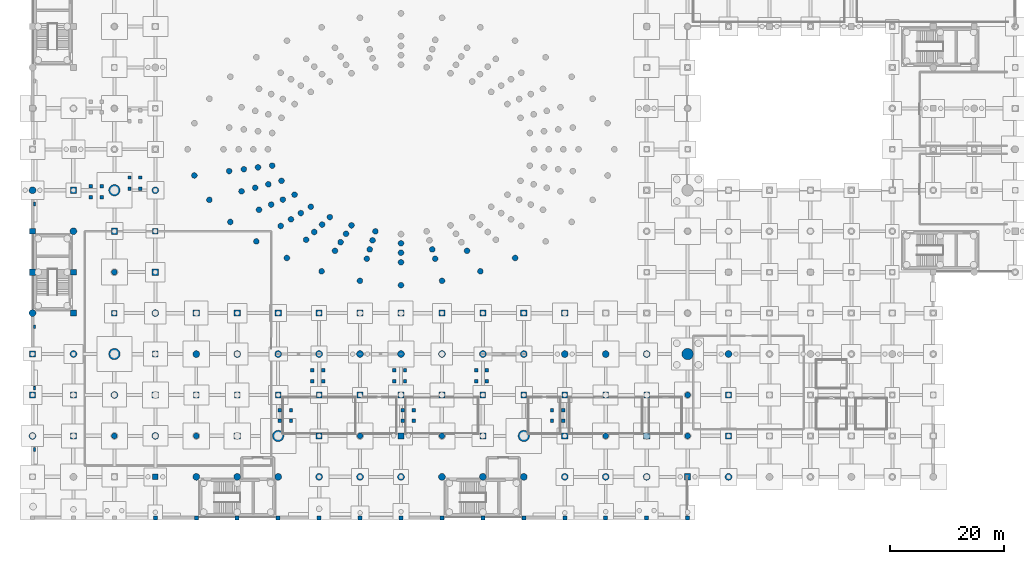
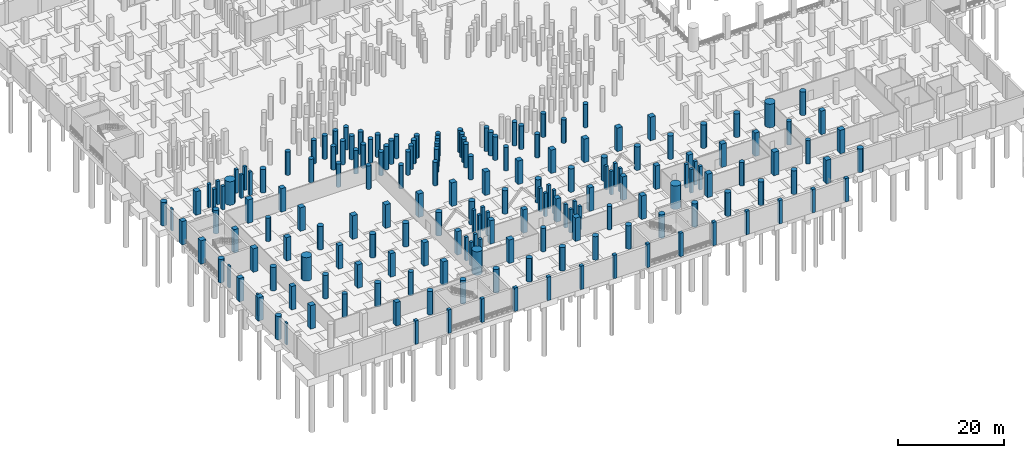
# One storey, part 17 of 37: 190 columns.
"""IFC4 building model written with IfcOpenShell, lengths in metres."""

from ifc_helpers import new_model, si_unit, direction, frame, origin, origin_2d, place, context, subcontext, project, spatial, rectangle, circle, extrude, material, material_profile, profile_set, type_object, element, save


model = new_model("IFC4")

# Units and contexts
model_context = context("Model", 3, precision=1e-05, world=origin(), true_north=direction((0.0, 1.0)))
body_context = subcontext(model_context, "Body", "Model", "MODEL_VIEW")
ifc_project = project(units=[si_unit("LENGTHUNIT", "METRE"), si_unit("AREAUNIT", "SQUARE_METRE"), si_unit("VOLUMEUNIT", "CUBIC_METRE"), si_unit("PLANEANGLEUNIT", "RADIAN"), si_unit("MASSUNIT", "GRAM", prefix="KILO")], contexts=[model_context])

# Site, building, storey
site_placement = place(None, origin())
site = spatial("IfcSite", under=ifc_project, at=site_placement, CompositionType="ELEMENT")
building_placement = place(site_placement, origin())
building = spatial("IfcBuilding", under=site, at=building_placement, Name="Qandorah Velis Arena", CompositionType="ELEMENT")
storey_placement = place(building_placement, frame((0.0, 0.0, -5.39990234375)))
storey = spatial("IfcBuildingStorey", under=building, at=storey_placement, Name="B1", CompositionType="ELEMENT", Elevation=-5.39990234375)

# Columns
ifc_material_1 = material(Name="Concrete C50/60", Category="concrete")
ifc_material_profile_1 = material_profile(ifc_material_1, circle(Radius=1.0, at=origin_2d()), Name="MC D2000")
ifc_profile_set_1 = profile_set([ifc_material_profile_1], Name="Concrete C50/60")
column_type_1 = type_object("IfcColumnType", Name="STR-COL-MC2000", PredefinedType="COLUMN", material=ifc_profile_set_1)
for number, where, z_axis, x_axis, name in (
    (1, (14.39990234375, 28.800048828125, 0.0), (0.0, 0.0, 1.0), (1.0, 0.0, 0.0), "Mega column MC1 (B1)"),
    (2, (14.39990234375, 57.60009765625, 0.0), (0.0, 0.0, 1.0), (1.0, 0.0, 0.0), "Mega column MC2 (B1)"),
    (3, (43.199951171875, 14.39990234375, 0.0), (0.0, 0.0, 1.0), (1.0, 0.0, 0.0), "Mega column MC4 (B1)"),
    (4, (86.39990234375, 14.39990234375, 0.0), (0.0, 0.0, 1.0), (1.0, 0.0, 0.0), "Mega column MC5 (B1)"),
    (5, (115.199951171875, 28.800048828125, 0.0), (0.0, 0.0, 1.0), (1.0, 0.0, 0.0), "Mega column MC8 (B1)"),
):
    element("IfcColumn", number, at=place(storey_placement, frame(where, z_axis=z_axis, x_axis=x_axis)), inside=storey, type_object=column_type_1, Name=name, PredefinedType="COLUMN", context=body_context, shape_type="SweptSolid", body=[
        extrude(circle(Radius=1.0, at=origin_2d()), origin(), (0.0, 0.0, 1.0), 5.39990234375),
    ])
ifc_material_2 = material(Name="Concrete C40/50", Category="concrete")
ifc_material_profile_2 = material_profile(ifc_material_2, rectangle(XDim=1.0, YDim=1.0, at=origin_2d()), Name="RC COL 1000x1000")
ifc_profile_set_2 = profile_set([ifc_material_profile_2], Name="Concrete C40/50")
column_type_2 = type_object("IfcColumnType", Name="STR-COL-RC1000", PredefinedType="COLUMN", material=ifc_profile_set_2)
for number, where, z_axis, x_axis, name in (
    (6, (0.0, 28.800048828125, 0.0), (0.0, 0.0, 1.0), (1.0, 0.0, 0.0), "Structural column B1-004"),
    (7, (0.0, 50.39990234375, 0.0), (0.0, 0.0, 1.0), (1.0, 0.0, 0.0), "Structural column B1-007"),
    (8, (7.199951171875, 21.60009765625, 0.0), (0.0, 0.0, 1.0), (1.0, 0.0, 0.0), "Structural column B1-022"),
    (9, (7.199951171875, 43.199951171875, 0.0), (0.0, 0.0, 1.0), (1.0, 0.0, 0.0), "Structural column B1-025"),
    (10, (14.39990234375, 36.0, 0.0), (0.0, 0.0, 1.0), (1.0, 0.0, 0.0), "Structural column B1-043"),
    (11, (21.60009765625, 7.199951171875, 0.0), (0.0, 0.0, 1.0), (1.0, 0.0, 0.0), "Structural column B1-058"),
    (12, (21.60009765625, 28.800048828125, 0.0), (0.0, 0.0, 1.0), (1.0, 0.0, 0.0), "Structural column B1-061"),
    (13, (21.60009765625, 50.39990234375, 0.0), (0.0, 0.0, 1.0), (1.0, 0.0, 0.0), "Structural column B1-064"),
    (14, (28.800048828125, 21.60009765625, 0.0), (0.0, 0.0, 1.0), (1.0, 0.0, 0.0), "Structural column B1-079"),
    (15, (36.0, 21.60009765625, 0.0), (0.0, 0.0, 1.0), (1.0, 0.0, 0.0), "Structural column B1-091"),
    (16, (43.199951171875, 21.60009765625, 0.0), (0.0, 0.0, 1.0), (1.0, 0.0, 0.0), "Structural column B1-103"),
    (17, (50.39990234375, 21.60009765625, 0.0), (0.0, 0.0, 1.0), (1.0, 0.0, 0.0), "Structural column B1-115"),
    (18, (57.60009765625, 21.60009765625, 0.0), (0.0, 0.0, 1.0), (1.0, 0.0, 0.0), "Structural column B1-127"),
    (19, (64.800048828125, 21.60009765625, 0.0), (0.0, 0.0, 1.0), (1.0, 0.0, 0.0), "Structural column B1-139"),
    (20, (72.0, 21.60009765625, 0.0), (0.0, 0.0, 1.0), (1.0, 0.0, 0.0), "Structural column B1-151"),
    (21, (79.199951171875, 21.60009765625, 0.0), (0.0, 0.0, 1.0), (1.0, 0.0, 0.0), "Structural column B1-163"),
    (22, (86.39990234375, 21.60009765625, 0.0), (0.0, 0.0, 1.0), (1.0, 0.0, 0.0), "Structural column B1-175"),
    (23, (93.60009765625, 21.60009765625, 0.0), (0.0, 0.0, 1.0), (1.0, 0.0, 0.0), "Structural column B1-187"),
    (24, (100.800048828125, 21.60009765625, 0.0), (0.0, 0.0, 1.0), (1.0, 0.0, 0.0), "Structural column B1-199"),
    (25, (108.0, 21.60009765625, 0.0), (0.0, 0.0, 1.0), (1.0, 0.0, 0.0), "Structural column B1-211"),
    (26, (122.39990234375, 21.60009765625, 0.0), (0.0, 0.0, 1.0), (1.0, 0.0, 0.0), "Structural column B1-247"),
):
    element("IfcColumn", number, at=place(storey_placement, frame(where, z_axis=z_axis, x_axis=x_axis)), inside=storey, type_object=column_type_2, Name=name, PredefinedType="COLUMN", context=body_context, shape_type="SweptSolid", body=[
        extrude(rectangle(XDim=1.0, YDim=1.0, at=origin_2d()), origin(), (0.0, 0.0, 1.0), 5.39990234375),
    ])
ifc_material_profile_3 = material_profile(ifc_material_2, rectangle(XDim=1.10009765625, YDim=1.10009765625, at=origin_2d()), Name="RC COL 1100x1100")
ifc_profile_set_3 = profile_set([ifc_material_profile_3], Name="Concrete C40/50")
column_type_3 = type_object("IfcColumnType", Name="STR-COL-RC1100", PredefinedType="COLUMN", material=ifc_profile_set_3)
for number, where, z_axis, x_axis, name in (
    (27, (0.0, 21.60009765625, 0.0), (0.0, 0.0, 1.0), (1.0, 0.0, 0.0), "Structural column B1-003"),
    (28, (0.0, 43.199951171875, 0.0), (0.0, 0.0, 1.0), (1.0, 0.0, 0.0), "Structural column B1-006"),
    (29, (7.199951171875, 14.39990234375, 0.0), (0.0, 0.0, 1.0), (1.0, 0.0, 0.0), "Structural column B1-021"),
    (30, (7.199951171875, 36.0, 0.0), (0.0, 0.0, 1.0), (1.0, 0.0, 0.0), "Structural column B1-024"),
    (31, (7.199951171875, 57.60009765625, 0.0), (0.0, 0.0, 1.0), (1.0, 0.0, 0.0), "Structural column B1-027"),
    (32, (14.39990234375, 50.39990234375, 0.0), (0.0, 0.0, 1.0), (1.0, 0.0, 0.0), "Structural column B1-045"),
    (33, (21.60009765625, 21.60009765625, 0.0), (0.0, 0.0, 1.0), (1.0, 0.0, 0.0), "Structural column B1-060"),
    (34, (21.60009765625, 43.199951171875, 0.0), (0.0, 0.0, 1.0), (1.0, 0.0, 0.0), "Structural column B1-063"),
    (35, (28.800048828125, 36.0, 0.0), (0.0, 0.0, 1.0), (1.0, 0.0, 0.0), "Structural column B1-081"),
    (36, (36.0, 14.39990234375, 0.0), (0.0, 0.0, 1.0), (1.0, 0.0, 0.0), "Structural column B1-090"),
    (37, (36.0, 36.0, 0.0), (0.0, 0.0, 1.0), (1.0, 0.0, 0.0), "Structural column B1-093"),
    (38, (43.199951171875, 36.0, 0.0), (0.0, 0.0, 1.0), (1.0, 0.0, 0.0), "Structural column B1-105"),
    (39, (50.39990234375, 14.39990234375, 0.0), (0.0, 0.0, 1.0), (1.0, 0.0, 0.0), "Structural column B1-114"),
    (40, (50.39990234375, 36.0, 0.0), (0.0, 0.0, 1.0), (1.0, 0.0, 0.0), "Structural column B1-117"),
    (41, (57.60009765625, 36.0, 0.0), (0.0, 0.0, 1.0), (1.0, 0.0, 0.0), "Structural column B1-129"),
    (42, (64.800048828125, 14.39990234375, 0.0), (0.0, 0.0, 1.0), (1.0, 0.0, 0.0), "Structural column B1-138"),
    (43, (64.800048828125, 36.0, 0.0), (0.0, 0.0, 1.0), (1.0, 0.0, 0.0), "Structural column B1-141"),
    (44, (72.0, 36.0, 0.0), (0.0, 0.0, 1.0), (1.0, 0.0, 0.0), "Structural column B1-153"),
    (45, (79.199951171875, 14.39990234375, 0.0), (0.0, 0.0, 1.0), (1.0, 0.0, 0.0), "Structural column B1-162"),
    (46, (79.199951171875, 36.0, 0.0), (0.0, 0.0, 1.0), (1.0, 0.0, 0.0), "Structural column B1-165"),
    (47, (86.39990234375, 36.0, 0.0), (0.0, 0.0, 1.0), (1.0, 0.0, 0.0), "Structural column B1-177"),
    (48, (93.60009765625, 14.39990234375, 0.0), (0.0, 0.0, 1.0), (1.0, 0.0, 0.0), "Structural column B1-186"),
    (49, (93.60009765625, 36.0, 0.0), (0.0, 0.0, 1.0), (1.0, 0.0, 0.0), "Structural column B1-189"),
    (50, (108.0, 14.39990234375, 0.0), (0.0, 0.0, 1.0), (1.0, 0.0, 0.0), "Structural column B1-210"),
    (51, (115.199951171875, 7.199951171875, 0.0), (0.0, 0.0, 1.0), (1.0, 0.0, 0.0), "Structural column B1-228"),
    (52, (122.39990234375, 14.39990234375, 0.0), (0.0, 0.0, 1.0), (1.0, 0.0, 0.0), "Structural column B1-246"),
):
    element("IfcColumn", number, at=place(storey_placement, frame(where, z_axis=z_axis, x_axis=x_axis)), inside=storey, type_object=column_type_3, Name=name, PredefinedType="COLUMN", context=body_context, shape_type="SweptSolid", body=[
        extrude(rectangle(XDim=1.10009765625, YDim=1.10009765625, at=origin_2d()), origin(), (0.0, 0.0, 1.0), 5.39990234375),
    ])
ifc_material_profile_4 = material_profile(ifc_material_2, rectangle(XDim=0.60009765625, YDim=0.60009765625, at=origin_2d()), Name="RC COL 600x600")
ifc_profile_set_4 = profile_set([ifc_material_profile_4], Name="Concrete C40/50")
column_type_4 = type_object("IfcColumnType", Name="STR-COL-RC600", PredefinedType="COLUMN", material=ifc_profile_set_4)
for number, where, z_axis, x_axis, name in (
    (53, (49.199951171875, 24.050048828125, 0.0), (0.0, 0.0, 1.0), (1.0, 0.0, 0.0), "Vomitory VS1 B1 support column 1"),
    (54, (51.10009765625, 24.050048828125, 0.0), (0.0, 0.0, 1.0), (1.0, 0.0, 0.0), "Vomitory VS1 B1 support column 2"),
    (55, (49.199951171875, 25.949951171875, 0.0), (0.0, 0.0, 1.0), (1.0, 0.0, 0.0), "Vomitory VS1 B1 support column 3"),
    (56, (51.10009765625, 25.949951171875, 0.0), (0.0, 0.0, 1.0), (1.0, 0.0, 0.0), "Vomitory VS1 B1 support column 4"),
    (57, (63.60009765625, 24.050048828125, 0.0), (0.0, 0.0, 1.0), (1.0, 0.0, 0.0), "Vomitory VS2 B1 support column 1"),
    (58, (65.5, 24.050048828125, 0.0), (0.0, 0.0, 1.0), (1.0, 0.0, 0.0), "Vomitory VS2 B1 support column 2"),
    (59, (63.60009765625, 25.949951171875, 0.0), (0.0, 0.0, 1.0), (1.0, 0.0, 0.0), "Vomitory VS2 B1 support column 3"),
    (60, (65.5, 25.949951171875, 0.0), (0.0, 0.0, 1.0), (1.0, 0.0, 0.0), "Vomitory VS2 B1 support column 4"),
    (61, (78.0, 24.050048828125, 0.0), (0.0, 0.0, 1.0), (1.0, 0.0, 0.0), "Vomitory VS3 B1 support column 1"),
    (62, (79.89990234375, 24.050048828125, 0.0), (0.0, 0.0, 1.0), (1.0, 0.0, 0.0), "Vomitory VS3 B1 support column 2"),
    (63, (78.0, 25.949951171875, 0.0), (0.0, 0.0, 1.0), (1.0, 0.0, 0.0), "Vomitory VS3 B1 support column 3"),
    (64, (79.89990234375, 25.949951171875, 0.0), (0.0, 0.0, 1.0), (1.0, 0.0, 0.0), "Vomitory VS3 B1 support column 4"),
    (65, (10.25, 56.39990234375, 0.0), (0.0, 0.0, 1.0), (1.0, 0.0, 0.0), "Vomitory VS7 B1 support column 1"),
    (66, (12.14990234375, 56.39990234375, 0.0), (0.0, 0.0, 1.0), (1.0, 0.0, 0.0), "Vomitory VS7 B1 support column 2"),
    (67, (10.25, 58.300048828125, 0.0), (0.0, 0.0, 1.0), (1.0, 0.0, 0.0), "Vomitory VS7 B1 support column 3"),
    (68, (12.14990234375, 58.300048828125, 0.0), (0.0, 0.0, 1.0), (1.0, 0.0, 0.0), "Vomitory VS7 B1 support column 4"),
    (69, (43.5, 17.050048828125, 0.0), (0.0, 0.0, 1.0), (1.0, 0.0, 0.0), "Vomitory VS9 B1 landing column 1"),
    (70, (45.449951171875, 17.050048828125, 0.0), (0.0, 0.0, 1.0), (1.0, 0.0, 0.0), "Vomitory VS9 B1 landing column 2"),
    (71, (43.5, 18.949951171875, 0.0), (0.0, 0.0, 1.0), (1.0, 0.0, 0.0), "Vomitory VS9 B1 landing column 3"),
    (72, (45.449951171875, 18.949951171875, 0.0), (0.0, 0.0, 1.0), (1.0, 0.0, 0.0), "Vomitory VS9 B1 landing column 4"),
    (73, (65.10009765625, 17.050048828125, 0.0), (0.0, 0.0, 1.0), (1.0, 0.0, 0.0), "Vomitory VS10 B1 landing column 1"),
    (74, (67.050048828125, 17.050048828125, 0.0), (0.0, 0.0, 1.0), (1.0, 0.0, 0.0), "Vomitory VS10 B1 landing column 2"),
    (75, (65.10009765625, 18.949951171875, 0.0), (0.0, 0.0, 1.0), (1.0, 0.0, 0.0), "Vomitory VS10 B1 landing column 3"),
    (76, (67.050048828125, 18.949951171875, 0.0), (0.0, 0.0, 1.0), (1.0, 0.0, 0.0), "Vomitory VS10 B1 landing column 4"),
    (77, (91.35009765625, 17.050048828125, 0.0), (0.0, 0.0, 1.0), (1.0, 0.0, 0.0), "Vomitory VS11 B1 landing column 1"),
    (78, (93.300048828125, 17.050048828125, 0.0), (0.0, 0.0, 1.0), (1.0, 0.0, 0.0), "Vomitory VS11 B1 landing column 2"),
    (79, (91.35009765625, 18.949951171875, 0.0), (0.0, 0.0, 1.0), (1.0, 0.0, 0.0), "Vomitory VS11 B1 landing column 3"),
    (80, (93.300048828125, 18.949951171875, 0.0), (0.0, 0.0, 1.0), (1.0, 0.0, 0.0), "Vomitory VS11 B1 landing column 4"),
    (81, (17.050048828125, 57.89990234375, 0.0), (0.0, 0.0, 1.0), (1.0, 0.0, 0.0), "Vomitory VS15 B1 landing column 1"),
    (82, (18.949951171875, 57.89990234375, 0.0), (0.0, 0.0, 1.0), (1.0, 0.0, 0.0), "Vomitory VS15 B1 landing column 2"),
    (83, (17.050048828125, 59.85009765625, 0.0), (0.0, 0.0, 1.0), (1.0, 0.0, 0.0), "Vomitory VS15 B1 landing column 3"),
    (84, (18.949951171875, 59.85009765625, 0.0), (0.0, 0.0, 1.0), (1.0, 0.0, 0.0), "Vomitory VS15 B1 landing column 4"),
):
    element("IfcColumn", number, at=place(storey_placement, frame(where, z_axis=z_axis, x_axis=x_axis)), inside=storey, type_object=column_type_4, Name=name, PredefinedType="COLUMN", context=body_context, shape_type="SweptSolid", body=[
        extrude(rectangle(XDim=0.60009765625, YDim=0.60009765625, at=origin_2d()), origin(), (0.0, 0.0, 1.0), 5.39990234375),
    ])
ifc_material_profile_5 = material_profile(ifc_material_2, rectangle(XDim=0.699951171875, YDim=0.699951171875, at=origin_2d()), Name="RC COL 700x700")
ifc_profile_set_5 = profile_set([ifc_material_profile_5], Name="Concrete C40/50")
column_type_5 = type_object("IfcColumnType", Name="STR-COL-RC700", PredefinedType="COLUMN", material=ifc_profile_set_5)
for number, where, z_axis, x_axis, name in (
    (85, (21.60009765625, 0.0, 0.0), (0.0, 0.0, 1.0), (1.0, 0.0, 0.0), "Structural column B1-057"),
    (86, (28.800048828125, 0.0, 0.0), (0.0, 0.0, 1.0), (1.0, 0.0, 0.0), "Structural column B1-076"),
    (87, (36.0, 0.0, 0.0), (0.0, 0.0, 1.0), (1.0, 0.0, 0.0), "Structural column B1-088"),
    (88, (43.199951171875, 0.0, 0.0), (0.0, 0.0, 1.0), (1.0, 0.0, 0.0), "Structural column B1-100"),
    (89, (50.39990234375, 0.0, 0.0), (0.0, 0.0, 1.0), (1.0, 0.0, 0.0), "Structural column B1-112"),
    (90, (57.60009765625, 0.0, 0.0), (0.0, 0.0, 1.0), (1.0, 0.0, 0.0), "Structural column B1-124"),
    (91, (64.800048828125, 0.0, 0.0), (0.0, 0.0, 1.0), (1.0, 0.0, 0.0), "Structural column B1-136"),
    (92, (72.0, 0.0, 0.0), (0.0, 0.0, 1.0), (1.0, 0.0, 0.0), "Structural column B1-148"),
    (93, (79.199951171875, 0.0, 0.0), (0.0, 0.0, 1.0), (1.0, 0.0, 0.0), "Structural column B1-160"),
    (94, (86.39990234375, 0.0, 0.0), (0.0, 0.0, 1.0), (1.0, 0.0, 0.0), "Structural column B1-172"),
    (95, (93.60009765625, 0.0, 0.0), (0.0, 0.0, 1.0), (1.0, 0.0, 0.0), "Structural column B1-184"),
    (96, (100.800048828125, 0.0, 0.0), (0.0, 0.0, 1.0), (1.0, 0.0, 0.0), "Structural column B1-196"),
    (97, (108.0, 0.0, 0.0), (0.0, 0.0, 1.0), (1.0, 0.0, 0.0), "Structural column B1-208"),
    (98, (115.199951171875, 0.0, 0.0), (0.0, 0.0, 1.0), (1.0, 0.0, 0.0), "Structural column B1-227"),
):
    element("IfcColumn", number, at=place(storey_placement, frame(where, z_axis=z_axis, x_axis=x_axis)), inside=storey, type_object=column_type_5, Name=name, PredefinedType="COLUMN", context=body_context, shape_type="SweptSolid", body=[
        extrude(rectangle(XDim=0.699951171875, YDim=0.699951171875, at=origin_2d()), origin(), (0.0, 0.0, 1.0), 5.39990234375),
    ])
ifc_material_profile_6 = material_profile(ifc_material_2, circle(Radius=0.5, at=origin_2d()), Name="RC D1000")
ifc_profile_set_6 = profile_set([ifc_material_profile_6], Name="Concrete C40/50")
column_type_6 = type_object("IfcColumnType", Name="STR-COL-RCD1000", PredefinedType="COLUMN", material=ifc_profile_set_6)
for number, where, z_axis, x_axis, name in (
    (99, (14.39990234375, 14.39990234375, 0.0), (0.0, 0.0, 1.0), (1.0, 0.0, 0.0), "Bowl drum ring column B1-040"),
    (100, (14.39990234375, 43.199951171875, 0.0), (0.0, 0.0, 1.0), (1.0, 0.0, 0.0), "Bowl drum ring column B1-044"),
    (101, (28.800048828125, 14.39990234375, 0.0), (0.0, 0.0, 1.0), (1.0, 0.0, 0.0), "Bowl drum ring column B1-078"),
    (102, (57.60009765625, 14.39990234375, 0.0), (0.0, 0.0, 1.0), (1.0, 0.0, 0.0), "Bowl drum ring column B1-126"),
    (103, (72.0, 14.39990234375, 0.0), (0.0, 0.0, 1.0), (1.0, 0.0, 0.0), "Bowl drum ring column B1-150"),
    (104, (100.800048828125, 14.39990234375, 0.0), (0.0, 0.0, 1.0), (1.0, 0.0, 0.0), "Bowl drum ring column B1-198"),
    (105, (115.199951171875, 14.39990234375, 0.0), (0.0, 0.0, 1.0), (1.0, 0.0, 0.0), "Bowl drum ring column B1-229"),
    (106, (115.199951171875, 21.60009765625, 0.0), (0.0, 0.0, 1.0), (1.0, 0.0, 0.0), "Bowl drum ring column B1-230"),
):
    element("IfcColumn", number, at=place(storey_placement, frame(where, z_axis=z_axis, x_axis=x_axis)), inside=storey, type_object=column_type_6, Name=name, PredefinedType="COLUMN", context=body_context, shape_type="SweptSolid", body=[
        extrude(circle(Radius=0.5, at=origin_2d()), origin(), (0.0, 0.0, 1.0), 5.39990234375),
    ])
column_1_placement = place(storey_placement, frame((42.14501953125, 61.9306640625, 0.0), z_axis=(0.0, 0.0, 1.0), x_axis=(1.0, 0.0, 0.0)))
element("IfcColumn", 107, at=column_1_placement, inside=storey, type_object=column_type_6, Name="Lower bowl inner support column 9.2", PredefinedType="COLUMN", context=body_context, shape_type="SweptSolid", body=[
    extrude(circle(Radius=0.5, at=origin_2d()), origin(), (0.0, 0.0, 1.0), 5.159912109375),
])
for number, where, z_axis, x_axis, name in (
    (108, (39.653076171875, 61.614990234375, 0.0), (0.0, 0.0, 1.0), (1.0, 0.0, 0.0), "Lower bowl mid B1 support column 9.2"),
    (109, (37.160888671875, 61.29931640625, 0.0), (0.0, 0.0, 1.0), (1.0, 0.0, 0.0), "Basement bowl raker support column 9.2"),
    (110, (34.573974609375, 60.9716796875, 0.0), (0.0, 0.0, 1.0), (1.0, 0.0, 0.0), "Upper raker fulcrum column B1 9.2"),
    (111, (28.474609375, 60.19921875, 0.0), (0.0, 0.0, 1.0), (1.0, 0.0, 0.0), "Outer bowl raker column B1 9.2"),
):
    element("IfcColumn", number, at=place(storey_placement, frame(where, z_axis=z_axis, x_axis=x_axis)), inside=storey, type_object=column_type_6, Name=name, PredefinedType="COLUMN", context=body_context, shape_type="SweptSolid", body=[
        extrude(circle(Radius=0.5, at=origin_2d()), origin(), (0.0, 0.0, 1.0), 5.39990234375),
    ])
column_2_placement = place(storey_placement, frame((43.783447265625, 59.2568359375, 0.0), z_axis=(0.0, 0.0, 1.0), x_axis=(1.0, 0.0, 0.0)))
element("IfcColumn", 112, at=column_2_placement, inside=storey, type_object=column_type_6, Name="Lower bowl inner support column 10.1", PredefinedType="COLUMN", context=body_context, shape_type="SweptSolid", body=[
    extrude(circle(Radius=0.5, at=origin_2d()), origin(), (0.0, 0.0, 1.0), 5.159912109375),
])
for number, where, z_axis, x_axis, name in (
    (113, (41.4716796875, 58.647216796875, 0.0), (0.0, 0.0, 1.0), (1.0, 0.0, 0.0), "Lower bowl mid B1 support column 10.1"),
    (114, (39.159912109375, 58.037353515625, 0.0), (0.0, 0.0, 1.0), (1.0, 0.0, 0.0), "Basement bowl raker support column 10.1"),
):
    element("IfcColumn", number, at=place(storey_placement, frame(where, z_axis=z_axis, x_axis=x_axis)), inside=storey, type_object=column_type_6, Name=name, PredefinedType="COLUMN", context=body_context, shape_type="SweptSolid", body=[
        extrude(circle(Radius=0.5, at=origin_2d()), origin(), (0.0, 0.0, 1.0), 5.39990234375),
    ])
column_3_placement = place(storey_placement, frame((46.082763671875, 56.83642578125, 0.0), z_axis=(0.0, 0.0, 1.0), x_axis=(1.0, 0.0, 0.0)))
element("IfcColumn", 115, at=column_3_placement, inside=storey, type_object=column_type_6, Name="Lower bowl inner support column 10.2", PredefinedType="COLUMN", context=body_context, shape_type="SweptSolid", body=[
    extrude(circle(Radius=0.5, at=origin_2d()), origin(), (0.0, 0.0, 1.0), 5.159912109375),
])
for number, where, z_axis, x_axis, name in (
    (116, (44.02392578125, 55.96044921875, 0.0), (0.0, 0.0, 1.0), (1.0, 0.0, 0.0), "Lower bowl mid B1 support column 10.2"),
    (117, (41.965087890625, 55.08447265625, 0.0), (0.0, 0.0, 1.0), (1.0, 0.0, 0.0), "Basement bowl raker support column 10.2"),
    (118, (36.760009765625, 57.404296875, 0.0), (0.0, 0.0, 1.0), (1.0, 0.0, 0.0), "Upper raker fulcrum column B1 10.1"),
    (119, (31.101806640625, 55.912109375, 0.0), (0.0, 0.0, 1.0), (1.0, 0.0, 0.0), "Outer bowl raker column B1 10.1"),
    (120, (39.82763671875, 54.17529296875, 0.0), (0.0, 0.0, 1.0), (1.0, 0.0, 0.0), "Upper raker fulcrum column B1 10.2"),
    (121, (34.788330078125, 52.03125, 0.0), (0.0, 0.0, 1.0), (1.0, 0.0, 0.0), "Outer bowl raker column B1 10.2"),
):
    element("IfcColumn", number, at=place(storey_placement, frame(where, z_axis=z_axis, x_axis=x_axis)), inside=storey, type_object=column_type_6, Name=name, PredefinedType="COLUMN", context=body_context, shape_type="SweptSolid", body=[
        extrude(circle(Radius=0.5, at=origin_2d()), origin(), (0.0, 0.0, 1.0), 5.39990234375),
    ])
column_4_placement = place(storey_placement, frame((48.940185546875, 54.701416015625, 0.0), z_axis=(0.0, 0.0, 1.0), x_axis=(1.0, 0.0, 0.0)))
element("IfcColumn", 122, at=column_4_placement, inside=storey, type_object=column_type_6, Name="Lower bowl inner support column 11.1", PredefinedType="COLUMN", context=body_context, shape_type="SweptSolid", body=[
    extrude(circle(Radius=0.5, at=origin_2d()), origin(), (0.0, 0.0, 1.0), 5.159912109375),
])
for number, where, z_axis, x_axis, name in (
    (123, (47.19580078125, 53.590576171875, 0.0), (0.0, 0.0, 1.0), (1.0, 0.0, 0.0), "Lower bowl mid B1 support column 11.1"),
    (124, (45.451171875, 52.4794921875, 0.0), (0.0, 0.0, 1.0), (1.0, 0.0, 0.0), "Basement bowl raker support column 11.1"),
):
    element("IfcColumn", number, at=place(storey_placement, frame(where, z_axis=z_axis, x_axis=x_axis)), inside=storey, type_object=column_type_6, Name=name, PredefinedType="COLUMN", context=body_context, shape_type="SweptSolid", body=[
        extrude(circle(Radius=0.5, at=origin_2d()), origin(), (0.0, 0.0, 1.0), 5.39990234375),
    ])
column_5_placement = place(storey_placement, frame((52.29345703125, 52.8818359375, 0.0), z_axis=(0.0, 0.0, 1.0), x_axis=(1.0, 0.0, 0.0)))
element("IfcColumn", 125, at=column_5_placement, inside=storey, type_object=column_type_6, Name="Lower bowl inner support column 11.2", PredefinedType="COLUMN", context=body_context, shape_type="SweptSolid", body=[
    extrude(circle(Radius=0.5, at=origin_2d()), origin(), (0.0, 0.0, 1.0), 5.159912109375),
])
for number, where, z_axis, x_axis, name in (
    (126, (50.917724609375, 51.57080078125, 0.0), (0.0, 0.0, 1.0), (1.0, 0.0, 0.0), "Lower bowl mid B1 support column 11.2"),
    (127, (49.5419921875, 50.259765625, 0.0), (0.0, 0.0, 1.0), (1.0, 0.0, 0.0), "Basement bowl raker support column 11.2"),
    (128, (43.64013671875, 51.326416015625, 0.0), (0.0, 0.0, 1.0), (1.0, 0.0, 0.0), "Upper raker fulcrum column B1 11.1"),
    (129, (39.370361328125, 48.607666015625, 0.0), (0.0, 0.0, 1.0), (1.0, 0.0, 0.0), "Outer bowl raker column B1 11.1"),
    (130, (48.114013671875, 48.898681640625, 0.0), (0.0, 0.0, 1.0), (1.0, 0.0, 0.0), "Upper raker fulcrum column B1 11.2"),
    (131, (44.746826171875, 45.690185546875, 0.0), (0.0, 0.0, 1.0), (1.0, 0.0, 0.0), "Outer bowl raker column B1 11.2"),
):
    element("IfcColumn", number, at=place(storey_placement, frame(where, z_axis=z_axis, x_axis=x_axis)), inside=storey, type_object=column_type_6, Name=name, PredefinedType="COLUMN", context=body_context, shape_type="SweptSolid", body=[
        extrude(circle(Radius=0.5, at=origin_2d()), origin(), (0.0, 0.0, 1.0), 5.39990234375),
    ])
column_6_placement = place(storey_placement, frame((56.0947265625, 51.417724609375, 0.0), z_axis=(0.0, 0.0, 1.0), x_axis=(1.0, 0.0, 0.0)))
element("IfcColumn", 132, at=column_6_placement, inside=storey, type_object=column_type_6, Name="Lower bowl inner support column 12.1", PredefinedType="COLUMN", context=body_context, shape_type="SweptSolid", body=[
    extrude(circle(Radius=0.5, at=origin_2d()), origin(), (0.0, 0.0, 1.0), 5.159912109375),
])
for number, where, z_axis, x_axis, name in (
    (133, (55.13720703125, 49.94580078125, 0.0), (0.0, 0.0, 1.0), (1.0, 0.0, 0.0), "Lower bowl mid B1 support column 12.1"),
    (134, (54.179443359375, 48.4736328125, 0.0), (0.0, 0.0, 1.0), (1.0, 0.0, 0.0), "Basement bowl raker support column 12.1"),
):
    element("IfcColumn", number, at=place(storey_placement, frame(where, z_axis=z_axis, x_axis=x_axis)), inside=storey, type_object=column_type_6, Name=name, PredefinedType="COLUMN", context=body_context, shape_type="SweptSolid", body=[
        extrude(circle(Radius=0.5, at=origin_2d()), origin(), (0.0, 0.0, 1.0), 5.39990234375),
    ])
column_7_placement = place(storey_placement, frame((60.293701171875, 50.37451171875, 0.0), z_axis=(0.0, 0.0, 1.0), x_axis=(1.0, 0.0, 0.0)))
element("IfcColumn", 135, at=column_7_placement, inside=storey, type_object=column_type_6, Name="Lower bowl inner support column 12.2", PredefinedType="COLUMN", context=body_context, shape_type="SweptSolid", body=[
    extrude(circle(Radius=0.5, at=origin_2d()), origin(), (0.0, 0.0, 1.0), 5.159912109375),
])
for number, where, z_axis, x_axis, name in (
    (136, (59.7978515625, 48.78759765625, 0.0), (0.0, 0.0, 1.0), (1.0, 0.0, 0.0), "Lower bowl mid B1 support column 12.2"),
    (137, (59.30224609375, 47.20068359375, 0.0), (0.0, 0.0, 1.0), (1.0, 0.0, 0.0), "Basement bowl raker support column 12.2"),
    (138, (53.185546875, 46.945556640625, 0.0), (0.0, 0.0, 1.0), (1.0, 0.0, 0.0), "Upper raker fulcrum column B1 12.1"),
    (139, (50.841796875, 43.342529296875, 0.0), (0.0, 0.0, 1.0), (1.0, 0.0, 0.0), "Outer bowl raker column B1 12.1"),
    (140, (58.78759765625, 45.553466796875, 0.0), (0.0, 0.0, 1.0), (1.0, 0.0, 0.0), "Upper raker fulcrum column B1 12.2"),
    (141, (57.574462890625, 41.669677734375, 0.0), (0.0, 0.0, 1.0), (1.0, 0.0, 0.0), "Outer bowl raker column B1 12.2"),
    (142, (64.800048828125, 48.260986328125, 0.0), (0.0, 0.0, 1.0), (1.0, 0.0, 0.0), "Lower bowl mid B1 support column 13.1"),
    (143, (64.800048828125, 46.6220703125, 0.0), (0.0, 0.0, 1.0), (1.0, 0.0, 0.0), "Basement bowl raker support column 13.1"),
    (144, (70.2978515625, 47.20068359375, 0.0), (0.0, 0.0, 1.0), (1.0, 0.0, 0.0), "Basement bowl raker support column 13.2"),
    (145, (64.800048828125, 44.920654296875, 0.0), (0.0, 0.0, 1.0), (1.0, 0.0, 0.0), "Upper raker fulcrum column B1 13.1"),
    (146, (64.800048828125, 40.9091796875, 0.0), (0.0, 0.0, 1.0), (1.0, 0.0, 0.0), "Outer bowl raker column B1 13.1"),
    (147, (70.812255859375, 45.553466796875, 0.0), (0.0, 0.0, 1.0), (1.0, 0.0, 0.0), "Upper raker fulcrum column B1 13.2"),
    (148, (72.025634765625, 41.669677734375, 0.0), (0.0, 0.0, 1.0), (1.0, 0.0, 0.0), "Outer bowl raker column B1 13.2"),
    (149, (76.41455078125, 46.945556640625, 0.0), (0.0, 0.0, 1.0), (1.0, 0.0, 0.0), "Upper raker fulcrum column B1 14.1"),
    (150, (78.75830078125, 43.342529296875, 0.0), (0.0, 0.0, 1.0), (1.0, 0.0, 0.0), "Outer bowl raker column B1 14.1"),
    (151, (84.85302734375, 45.690185546875, 0.0), (0.0, 0.0, 1.0), (1.0, 0.0, 0.0), "Outer bowl raker column B1 14.2"),
):
    element("IfcColumn", number, at=place(storey_placement, frame(where, z_axis=z_axis, x_axis=x_axis)), inside=storey, type_object=column_type_6, Name=name, PredefinedType="COLUMN", context=body_context, shape_type="SweptSolid", body=[
        extrude(circle(Radius=0.5, at=origin_2d()), origin(), (0.0, 0.0, 1.0), 5.39990234375),
    ])
ifc_material_profile_7 = material_profile(ifc_material_2, circle(Radius=0.60009765625, at=origin_2d()), Name="RC D1200")
ifc_profile_set_7 = profile_set([ifc_material_profile_7], Name="Concrete C40/50")
column_type_7 = type_object("IfcColumnType", Name="STR-COL-RCD1200", PredefinedType="COLUMN", material=ifc_profile_set_7)
for number, where, z_axis, x_axis, name in (
    (152, (0.0, 14.39990234375, 0.0), (0.0, 0.0, 1.0), (1.0, 0.0, 0.0), "Structural column B1-002"),
    (153, (0.0, 36.0, 0.0), (0.0, 0.0, 1.0), (1.0, 0.0, 0.0), "Structural column B1-005"),
    (154, (0.0, 57.60009765625, 0.0), (0.0, 0.0, 1.0), (1.0, 0.0, 0.0), "Structural column B1-008"),
    (155, (7.199951171875, 28.800048828125, 0.0), (0.0, 0.0, 1.0), (1.0, 0.0, 0.0), "Structural column B1-023"),
    (156, (7.199951171875, 50.39990234375, 0.0), (0.0, 0.0, 1.0), (1.0, 0.0, 0.0), "Structural column B1-026"),
    (157, (14.39990234375, 21.60009765625, 0.0), (0.0, 0.0, 1.0), (1.0, 0.0, 0.0), "Structural column B1-041"),
    (158, (21.60009765625, 14.39990234375, 0.0), (0.0, 0.0, 1.0), (1.0, 0.0, 0.0), "Structural column B1-059"),
    (159, (21.60009765625, 36.0, 0.0), (0.0, 0.0, 1.0), (1.0, 0.0, 0.0), "Structural column B1-062"),
    (160, (21.60009765625, 57.60009765625, 0.0), (0.0, 0.0, 1.0), (1.0, 0.0, 0.0), "Structural column B1-065"),
    (161, (28.800048828125, 7.199951171875, 0.0), (0.0, 0.0, 1.0), (1.0, 0.0, 0.0), "Structural column B1-077"),
    (162, (28.800048828125, 28.800048828125, 0.0), (0.0, 0.0, 1.0), (1.0, 0.0, 0.0), "Structural column B1-080"),
    (163, (36.0, 7.199951171875, 0.0), (0.0, 0.0, 1.0), (1.0, 0.0, 0.0), "Structural column B1-089"),
    (164, (36.0, 28.800048828125, 0.0), (0.0, 0.0, 1.0), (1.0, 0.0, 0.0), "Structural column B1-092"),
    (165, (43.199951171875, 7.199951171875, 0.0), (0.0, 0.0, 1.0), (1.0, 0.0, 0.0), "Structural column B1-101"),
    (166, (43.199951171875, 28.800048828125, 0.0), (0.0, 0.0, 1.0), (1.0, 0.0, 0.0), "Structural column B1-104"),
    (167, (50.39990234375, 7.199951171875, 0.0), (0.0, 0.0, 1.0), (1.0, 0.0, 0.0), "Structural column B1-113"),
    (168, (50.39990234375, 28.800048828125, 0.0), (0.0, 0.0, 1.0), (1.0, 0.0, 0.0), "Structural column B1-116"),
    (169, (57.60009765625, 7.199951171875, 0.0), (0.0, 0.0, 1.0), (1.0, 0.0, 0.0), "Structural column B1-125"),
    (170, (57.60009765625, 28.800048828125, 0.0), (0.0, 0.0, 1.0), (1.0, 0.0, 0.0), "Structural column B1-128"),
    (171, (64.800048828125, 7.199951171875, 0.0), (0.0, 0.0, 1.0), (1.0, 0.0, 0.0), "Structural column B1-137"),
    (172, (64.800048828125, 28.800048828125, 0.0), (0.0, 0.0, 1.0), (1.0, 0.0, 0.0), "Structural column B1-140"),
    (173, (72.0, 7.199951171875, 0.0), (0.0, 0.0, 1.0), (1.0, 0.0, 0.0), "Structural column B1-149"),
    (174, (72.0, 28.800048828125, 0.0), (0.0, 0.0, 1.0), (1.0, 0.0, 0.0), "Structural column B1-152"),
    (175, (79.199951171875, 7.199951171875, 0.0), (0.0, 0.0, 1.0), (1.0, 0.0, 0.0), "Structural column B1-161"),
    (176, (79.199951171875, 28.800048828125, 0.0), (0.0, 0.0, 1.0), (1.0, 0.0, 0.0), "Structural column B1-164"),
    (177, (86.39990234375, 7.199951171875, 0.0), (0.0, 0.0, 1.0), (1.0, 0.0, 0.0), "Structural column B1-173"),
    (178, (86.39990234375, 28.800048828125, 0.0), (0.0, 0.0, 1.0), (1.0, 0.0, 0.0), "Structural column B1-176"),
    (179, (93.60009765625, 7.199951171875, 0.0), (0.0, 0.0, 1.0), (1.0, 0.0, 0.0), "Structural column B1-185"),
    (180, (93.60009765625, 28.800048828125, 0.0), (0.0, 0.0, 1.0), (1.0, 0.0, 0.0), "Structural column B1-188"),
    (181, (100.800048828125, 7.199951171875, 0.0), (0.0, 0.0, 1.0), (1.0, 0.0, 0.0), "Structural column B1-197"),
    (182, (100.800048828125, 28.800048828125, 0.0), (0.0, 0.0, 1.0), (1.0, 0.0, 0.0), "Structural column B1-200"),
    (183, (108.0, 7.199951171875, 0.0), (0.0, 0.0, 1.0), (1.0, 0.0, 0.0), "Structural column B1-209"),
    (184, (108.0, 28.800048828125, 0.0), (0.0, 0.0, 1.0), (1.0, 0.0, 0.0), "Structural column B1-212"),
    (185, (122.39990234375, 7.199951171875, 0.0), (0.0, 0.0, 1.0), (1.0, 0.0, 0.0), "Structural column B1-245"),
    (186, (122.39990234375, 28.800048828125, 0.0), (0.0, 0.0, 1.0), (1.0, 0.0, 0.0), "Structural column B1-248"),
):
    element("IfcColumn", number, at=place(storey_placement, frame(where, z_axis=z_axis, x_axis=x_axis)), inside=storey, type_object=column_type_7, Name=name, PredefinedType="COLUMN", context=body_context, shape_type="SweptSolid", body=[
        extrude(circle(Radius=0.60009765625, at=origin_2d()), origin(), (0.0, 0.0, 1.0), 5.39990234375),
    ])
ifc_material_profile_8 = material_profile(ifc_material_2, rectangle(XDim=0.35009765625, YDim=0.60009765625, at=origin_2d()), Name="RC PIL 350x600")
ifc_profile_set_8 = profile_set([ifc_material_profile_8], Name="Concrete C40/50")
column_type_8 = type_object("IfcColumnType", Name="STR-PIL-350X600", PredefinedType="PILASTER", material=ifc_profile_set_8)
column_8_placement = place(storey_placement, frame((0.35009765625, 22.800048828125, 0.0), z_axis=(0.0, 0.0, 1.0), x_axis=(1.0, 0.0, 0.0)))
element("IfcColumn", 187, at=column_8_placement, inside=storey, type_object=column_type_8, Name="Retaining wall pilaster PL-02", PredefinedType="PILASTER", context=body_context, shape_type="SweptSolid", body=[
    extrude(rectangle(XDim=0.35009765625, YDim=0.60009765625, at=origin_2d()), origin(), (0.0, 0.0, 1.0), 5.0),
])
ifc_material_profile_9 = material_profile(ifc_material_2, rectangle(XDim=0.39990234375, YDim=0.699951171875, at=origin_2d()), Name="RC PIL 400x700")
ifc_profile_set_9 = profile_set([ifc_material_profile_9], Name="Concrete C40/50")
column_type_9 = type_object("IfcColumnType", Name="STR-PIL-400X700", PredefinedType="PILASTER", material=ifc_profile_set_9)
for number, where, z_axis, x_axis, name in (
    (188, (0.35009765625, 12.0, 0.0), (0.0, 0.0, 1.0), (1.0, 0.0, 0.0), "Retaining wall pilaster PL-01"),
    (189, (0.35009765625, 33.60009765625, 0.0), (0.0, 0.0, 1.0), (1.0, 0.0, 0.0), "Retaining wall pilaster PL-03"),
    (190, (0.35009765625, 55.199951171875, 0.0), (0.0, 0.0, 1.0), (1.0, 0.0, 0.0), "Retaining wall pilaster PL-05"),
):
    element("IfcColumn", number, at=place(storey_placement, frame(where, z_axis=z_axis, x_axis=x_axis)), inside=storey, type_object=column_type_9, Name=name, PredefinedType="PILASTER", context=body_context, shape_type="SweptSolid", body=[
        extrude(rectangle(XDim=0.39990234375, YDim=0.699951171875, at=origin_2d()), origin(), (0.0, 0.0, 1.0), 5.0),
    ])

save(model, "model.ifc")
